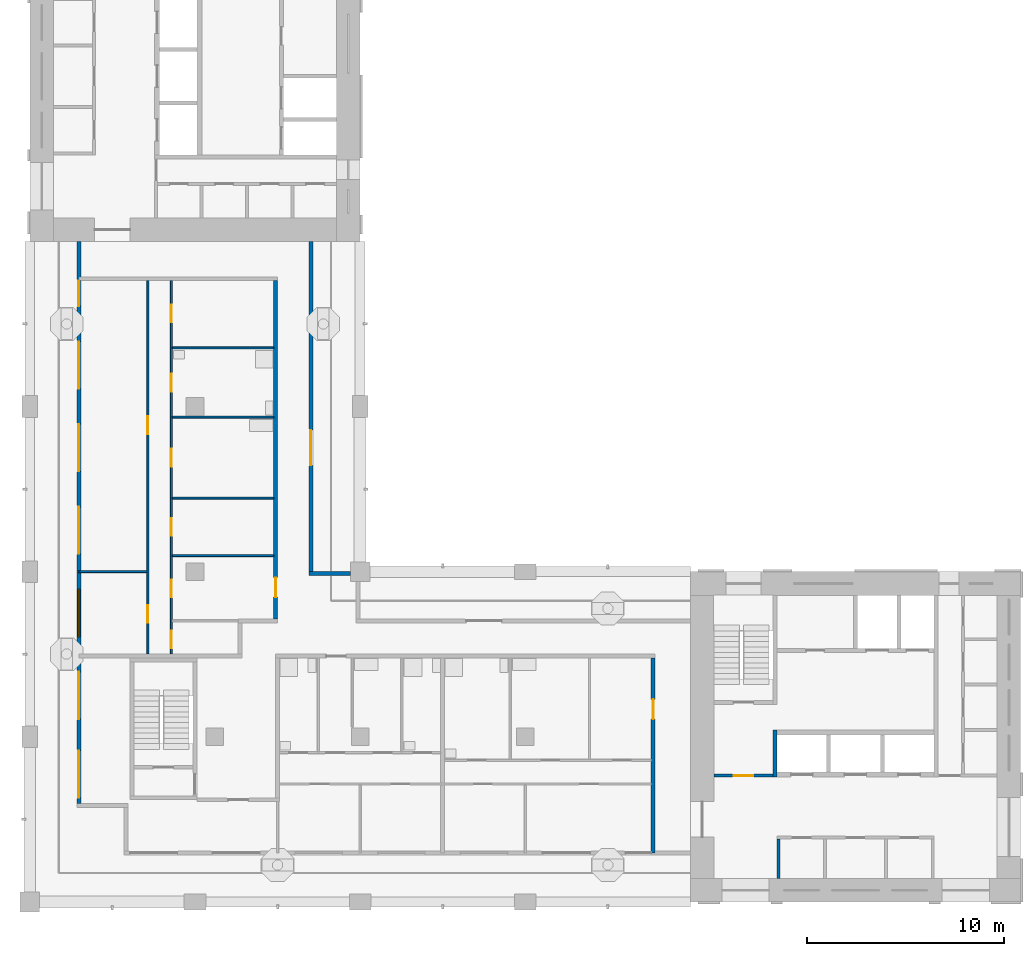
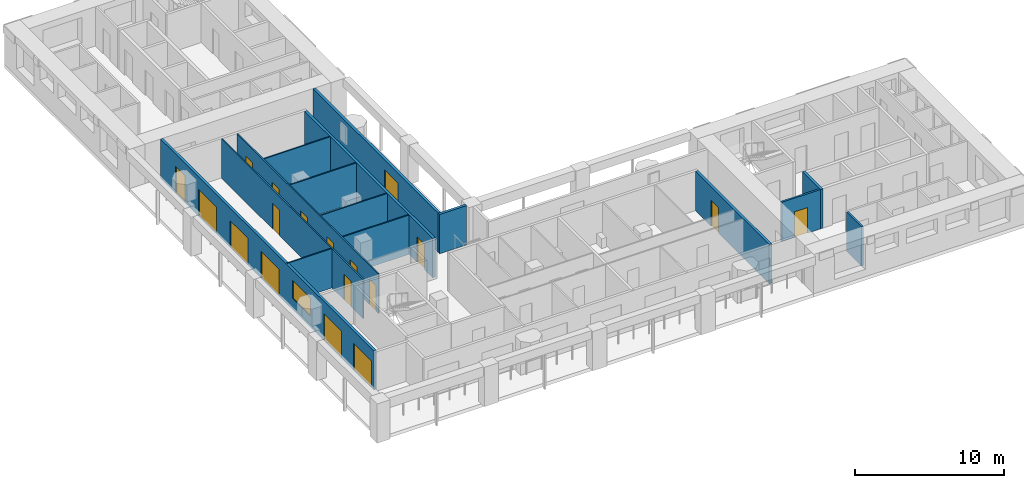
# One storey, part 3 of 12: 18 doors, 15 walls, 1 window, 19 openings.
"""IFC4 building model written with IfcOpenShell, lengths in metres."""

import ifcopenshell
import ifcopenshell.guid

model = None  # the IFC model being written
_history = None  # IfcOwnerHistory: only IFC2X3 demands one
_inside = {}  # id of a spatial element -> (the spatial element, [elements in it])
_under = {}  # id of a project, library or spatial element -> (it, [spatial elements below it])
_declared = {}  # id of a project -> (the project, [libraries it declares])
_typed = {}  # id of a type object -> (the type object, [elements of that type])
_made_of = {}  # id of a material, layer set ... -> (it, [elements and type objects made of it])


def new_model(schema):
    """Start an empty IFC model of exactly this schema.

    Asked for "IFC4X3", IfcOpenShell would pick the latest addendum, in which some entities
    have other attributes; the version numbers below select the first issue.
    IFC2X3 requires an IfcOwnerHistory on every rooted entity: one is made here for all.
    """
    global model, _history
    if schema == "IFC4X3":
        model = ifcopenshell.file(schema_version=(4, 3, 0, 0))
    else:
        model = ifcopenshell.file(schema=schema)
    _inside.clear()
    _under.clear()
    _declared.clear()
    _typed.clear()
    _made_of.clear()
    _history = None
    if model.schema == "IFC2X3":
        org = make("IfcOrganization", Name="unknown")
        user = make(
            "IfcPersonAndOrganization",
            ThePerson=make("IfcPerson", FamilyName="unknown"),
            TheOrganization=org,
        )
        app = make(
            "IfcApplication",
            ApplicationDeveloper=org,
            Version="unknown",
            ApplicationFullName="unknown",
            ApplicationIdentifier="unknown",
        )
        _history = make(
            "IfcOwnerHistory",
            OwningUser=user,
            OwningApplication=app,
            ChangeAction="ADDED",
            CreationDate=0,
        )
    return model


def make(cls, **values):
    """One entity of the class cls with the attributes given. An attribute that is None is left unset."""
    return model.create_entity(
        cls, **{name: value for name, value in values.items() if value is not None}
    )


def rooted(cls, **values):
    """An entity with a GlobalId (a new one), such as an element, a storey or a relation."""
    return make(cls, GlobalId=ifcopenshell.guid.new(), OwnerHistory=_history, **values)


def si_unit(unit_type, name, prefix=None):
    """IfcSIUnit, for example si_unit("LENGTHUNIT", "METRE", prefix="MILLI")."""
    return make("IfcSIUnit", UnitType=unit_type, Prefix=prefix, Name=name)


def assignment(units):
    """IfcUnitAssignment: the units of a project."""
    return None if units is None else make("IfcUnitAssignment", Units=units)


def point(xyz):
    """IfcCartesianPoint."""
    return None if xyz is None else make("IfcCartesianPoint", Coordinates=xyz)


def direction(xyz):
    """IfcDirection."""
    return None if xyz is None else make("IfcDirection", DirectionRatios=xyz)


def frame(location, z_axis=None, x_axis=None):
    """IfcAxis2Placement3D, a coordinate frame: its origin and axes. An axis left out is left unset."""
    return make(
        "IfcAxis2Placement3D",
        Location=point(location),
        Axis=direction(z_axis),
        RefDirection=direction(x_axis),
    )


def frame_2d(location, x_axis=None):
    """IfcAxis2Placement2D, a coordinate frame in the plane: its origin and x axis."""
    return make(
        "IfcAxis2Placement2D", Location=point(location), RefDirection=direction(x_axis)
    )


def origin():
    """The frame at (0, 0, 0) with its axes left unset."""
    return frame((0.0, 0.0, 0.0))


def place(relative_to, where):
    """IfcLocalPlacement: puts the frame where relative to a parent placement (None: the world)."""
    return make(
        "IfcLocalPlacement", PlacementRelTo=relative_to, RelativePlacement=where
    )


def context(
    kind, dimensions, precision=None, world=None, true_north=None, identifier=None
):
    """IfcGeometricRepresentationContext, for example the 3D "Model" context."""
    return make(
        "IfcGeometricRepresentationContext",
        ContextIdentifier=identifier,
        ContextType=kind,
        CoordinateSpaceDimension=dimensions,
        Precision=precision,
        WorldCoordinateSystem=world,
        TrueNorth=true_north,
    )


def subcontext(parent, identifier, kind, view, scale=None):
    """IfcGeometricRepresentationSubContext, for example "Body" below "Model"."""
    return make(
        "IfcGeometricRepresentationSubContext",
        ContextIdentifier=identifier,
        ContextType=kind,
        ParentContext=parent,
        TargetScale=scale,
        TargetView=view,
    )


def project(units=None, contexts=None):
    """IfcProject with its units and contexts."""
    return rooted(
        "IfcProject",
        Name="project",
        RepresentationContexts=contexts,
        UnitsInContext=assignment(units),
    )


def spatial(cls, under=None, at=None, **own):
    """A site, building, storey or space (cls), placed at a placement, below another one or the project."""
    s = rooted(cls, ObjectPlacement=at, **own)
    if under is not None:
        _under.setdefault(under.id(), (under, []))[1].append(s)
    return s


def profile(cls, at=None, kind="AREA", **sizes):
    """A parametric profile (cls). Its sizes go by their IFC names, for example OverallWidth=200.0."""
    return make(cls, ProfileType=kind, Position=at, **sizes)


def rectangle(**sizes):
    """IfcRectangleProfileDef."""
    return profile("IfcRectangleProfileDef", **sizes)


def extrude(swept, where, along, depth):
    """IfcExtrudedAreaSolid: the profile swept, set in the frame where, extruded along a direction by depth."""
    return make(
        "IfcExtrudedAreaSolid",
        SweptArea=swept,
        Position=where,
        ExtrudedDirection=direction(along),
        Depth=depth,
    )


def shape(context_of_items, identifier, shape_type, items):
    """IfcShapeRepresentation: the items that make up one representation, for example the "Body"."""
    return make(
        "IfcShapeRepresentation",
        ContextOfItems=context_of_items,
        RepresentationIdentifier=identifier,
        RepresentationType=shape_type,
        Items=items,
    )


def material(Name=None, Category=None):
    """IfcMaterial."""
    return make("IfcMaterial", Name=Name, Category=Category)


def layer(
    of_material, thickness, ventilated=None, Name=None, Category=None, Priority=None
):
    """IfcMaterialLayer: one layer of a wall or slab, of a material (None: an air gap)."""
    return make(
        "IfcMaterialLayer",
        Material=of_material,
        LayerThickness=thickness,
        IsVentilated=ventilated,
        Name=Name,
        Category=Category,
        Priority=Priority,
    )


def layer_set(layers, Name=None):
    """IfcMaterialLayerSet."""
    return make("IfcMaterialLayerSet", MaterialLayers=layers, LayerSetName=Name)


def made_of(thing, what):
    """Note that an element or type object is made of a material, layer set ...; save() writes the relation."""
    if what is not None:
        _made_of.setdefault(what.id(), (what, []))[1].append(thing)
    return thing


def type_object(cls, material=None, **own):
    """A type object (cls), such as IfcWallType, which elements share."""
    return made_of(rooted(cls, **own), material)


def element(
    cls,
    number,
    at=None,
    inside=None,
    cuts=None,
    type_object=None,
    material=None,
    context=None,
    identifier="Body",
    shape_type=None,
    held_by="IfcProductDefinitionShape",
    body=None,
    shapes=None,
    **own,
):
    """One element of the class cls, such as IfcWall. Its Tag is "e" and its number.

    at: its placement. inside: the storey or other place that contains it. cuts: it is an
    opening in that element (IfcRelVoidsElement). A single representation is given by context,
    identifier, shape_type and body (its items); several are given by shapes. held_by: the class
    of the entity that holds the representations. save() writes the other relations.
    """
    e = rooted(cls, Tag="e%d" % number, ObjectPlacement=at, **own)
    if body is not None:
        shapes = [shape(context, identifier, shape_type, body)]
    if shapes is not None:
        e.Representation = make(held_by, Representations=shapes)
    if inside is not None:
        _inside.setdefault(inside.id(), (inside, []))[1].append(e)
    if cuts is not None:
        rooted(
            "IfcRelVoidsElement", RelatingBuildingElement=cuts, RelatedOpeningElement=e
        )
    if type_object is not None:
        _typed.setdefault(type_object.id(), (type_object, []))[1].append(e)
    return made_of(e, material)


def fill(opening, filler):
    """IfcRelFillsElement: the door or window that sits in an opening."""
    return rooted(
        "IfcRelFillsElement",
        RelatingOpeningElement=opening,
        RelatedBuildingElement=filler,
    )


def aggregate(whole, parts):
    """IfcRelAggregates: a whole, such as a stair, and the parts it consists of."""
    return rooted("IfcRelAggregates", RelatingObject=whole, RelatedObjects=parts)


def save(model, path):
    """Write the relations noted so far, then the file.

    IfcRelAggregates (storeys below a building ...), IfcRelContainedInSpatialStructure (elements
    in a storey), IfcRelDefinesByType, IfcRelAssociatesMaterial and IfcRelDeclares: one each for
    every whole, place, type object, material and project.
    """
    for whole, parts in _under.values():
        aggregate(whole, parts)
    for where, things in _inside.values():
        rooted(
            "IfcRelContainedInSpatialStructure",
            RelatedElements=things,
            RelatingStructure=where,
        )
    for kind, things in _typed.values():
        rooted("IfcRelDefinesByType", RelatedObjects=things, RelatingType=kind)
    for what, things in _made_of.values():
        rooted("IfcRelAssociatesMaterial", RelatedObjects=things, RelatingMaterial=what)
    for by, libraries in _declared.values():
        rooted("IfcRelDeclares", RelatingContext=by, RelatedDefinitions=libraries)
    model.write(path)


model = new_model("IFC4")

# Units and contexts
model_context = context("Model", 3, precision=1e-05, world=origin(), true_north=direction((0.0, 1.0)))
body_context = subcontext(model_context, "Body", "Model", "MODEL_VIEW")
ifc_project = project(units=[si_unit("LENGTHUNIT", "METRE"), si_unit("AREAUNIT", "SQUARE_METRE"), si_unit("VOLUMEUNIT", "CUBIC_METRE"), si_unit("PLANEANGLEUNIT", "RADIAN"), si_unit("MASSUNIT", "GRAM", prefix="KILO")], contexts=[model_context])

# Site, building, storey
site_placement = place(None, origin())
site = spatial("IfcSite", under=ifc_project, at=site_placement, CompositionType="ELEMENT")
building_placement = place(site_placement, origin())
building = spatial("IfcBuilding", under=site, at=building_placement, Name="Vermilion Gate Residences", CompositionType="ELEMENT")
storey_placement = place(building_placement, frame((0.0, 0.0, 242.199951171875)))
storey = spatial("IfcBuildingStorey", under=building, at=storey_placement, Name="L63", CompositionType="ELEMENT", Elevation=242.199951171875)

# Wall
ifc_material_1 = material(Name="Masonry blockwork", Category="masonry")
ifc_layer_1 = layer(ifc_material_1, 0.14990234375)
ifc_layer_set_1 = layer_set([ifc_layer_1], Name="BLOCKWORK PARTITION 150 EI 120")
wall_type_1 = type_object("IfcWallType", Name="BLOCKWORK PARTITION 150 EI 120", PredefinedType="PARTITIONING", material=ifc_layer_set_1)
wall_1_placement = place(storey_placement, frame((46.47509765625, 9.60009765625, 0.0), z_axis=(0.0, 0.0, 1.0), x_axis=(0.0, 1.0, 0.0)))
element("IfcWall", 1, at=wall_1_placement, inside=storey, type_object=wall_type_1, Name="Core room partition A63-RW-W", PredefinedType="PARTITIONING", context=body_context, shape_type="SweptSolid", body=[
    extrude(rectangle(XDim=2.0, YDim=0.14990234375, at=frame_2d((1.0, 0.0))), origin(), (0.0, 0.0, 1.0), 3.219970703125),
])

# Wall, opening, door
wall_2_placement = place(storey_placement, frame((43.199951171875, 14.824951171875, 0.0), z_axis=(0.0, 0.0, 1.0), x_axis=(1.0, 0.0, 0.0)))
wall_2 = element("IfcWall", 2, at=wall_2_placement, inside=storey, type_object=wall_type_1, Name="Core room partition A63-VW-S", PredefinedType="PARTITIONING", context=body_context, shape_type="SweptSolid", body=[
    extrude(rectangle(XDim=3.0, YDim=0.14990234375, at=frame_2d((1.5, 0.0))), origin(), (0.0, 0.0, 1.0), 3.219970703125),
])
opening_1_placement = place(wall_2_placement, frame((1.0, 0.0, 0.0)))
opening_1 = element("IfcOpeningElement", 3, at=opening_1_placement, cuts=wall_2, Name="Opening DK63011", PredefinedType="OPENING", context=body_context, shape_type="SweptSolid", body=[
    extrude(rectangle(XDim=1.0, YDim=2.10009765625, at=frame_2d((0.5, 1.050048828125))), frame((0.0, 0.0849609375, 0.0), z_axis=(0.0, -1.0, 0.0), x_axis=(1.0, 0.0, 0.0)), (0.0, 0.0, 1.0), 0.169921875),
])
ifc_material_2 = material(Name="Steel", Category="steel")
door_type_1 = type_object("IfcDoorType", Name="FIRE DOOR FD60 1000 X 2100", OperationType="SINGLE_SWING_LEFT", PredefinedType="DOOR", material=ifc_material_2)
door_1_placement = place(opening_1_placement, frame((1.0, 0.0, 0.0), z_axis=(0.0, 0.0, 1.0), x_axis=(-1.0, 0.0, 0.0)))
door_1 = element("IfcDoor", 4, at=door_1_placement, inside=storey, type_object=door_type_1, Name="Stair vestibule door A63", OperationType="SINGLE_SWING_RIGHT", OverallHeight=2.10009765625, OverallWidth=1.0, PredefinedType="DOOR", context=body_context, shape_type="SweptSolid", body=[
    extrude(rectangle(XDim=1.0, YDim=2.10009765625, at=frame_2d((0.5, 1.050048828125))), frame((0.0, 0.02490234375, 0.0), z_axis=(0.0, -1.0, 0.0), x_axis=(1.0, 0.0, 0.0)), (0.0, 0.0, 1.0), 0.050048828125),
])
fill(opening_1, door_1)

# Wall, openings, doors, window
ifc_material_3 = material(Name="Insulated steel stud wall with terracotta rainscreen", Category="masonry")
ifc_layer_2 = layer(ifc_material_3, 0.199951171875)
ifc_layer_set_2 = layer_set([ifc_layer_2], Name="EXTERNAL WALL 200 TERRACOTTA RAINSCREEN")
wall_type_2 = type_object("IfcWallType", Name="EXTERNAL WALL 200 TERRACOTTA RAINSCREEN", PredefinedType="SOLIDWALL", material=ifc_layer_set_2)
wall_3_placement = place(storey_placement, frame((10.89990234375, 42.0, 0.0), z_axis=(0.0, 0.0, 1.0), x_axis=(0.0, -1.0, 0.0)))
wall_3 = element("IfcWall", 5, at=wall_3_placement, inside=storey, type_object=wall_type_2, Name="External wall", PredefinedType="SOLIDWALL", context=body_context, shape_type="SweptSolid", body=[
    extrude(rectangle(XDim=28.60009765625, YDim=0.199951171875, at=frame_2d((14.300048828125, 0.0))), origin(), (0.0, 0.0, 1.0), 3.219970703125),
])
opening_2_placement = place(wall_3_placement, frame((25.89990234375, 0.0, 0.0)))
opening_2 = element("IfcOpeningElement", 6, at=opening_2_placement, cuts=wall_3, Name="Opening DE63001", PredefinedType="OPENING", context=body_context, shape_type="SweptSolid", body=[
    extrude(rectangle(XDim=2.39990234375, YDim=2.199951171875, at=frame_2d((1.199951171875, 1.10009765625))), frame((0.0, 0.10986328125, 0.0), z_axis=(0.0, -1.0, 0.0), x_axis=(1.0, 0.0, 0.0)), (0.0, 0.0, 1.0), 0.219970703125),
])
opening_3_placement = place(wall_3_placement, frame((21.89990234375, 0.0, 0.0)))
opening_3 = element("IfcOpeningElement", 7, at=opening_3_placement, cuts=wall_3, Name="Opening DE63002", PredefinedType="OPENING", context=body_context, shape_type="SweptSolid", body=[
    extrude(rectangle(XDim=2.39990234375, YDim=2.199951171875, at=frame_2d((1.199951171875, 1.10009765625))), frame((0.0, 0.10986328125, 0.0), z_axis=(0.0, -1.0, 0.0), x_axis=(1.0, 0.0, 0.0)), (0.0, 0.0, 1.0), 0.219970703125),
])
opening_4_placement = place(wall_3_placement, frame((17.699951171875, 0.0, 0.89990234375)))
opening_4 = element("IfcOpeningElement", 8, at=opening_4_placement, cuts=wall_3, Name="Opening WE63003", PredefinedType="OPENING", context=body_context, shape_type="SweptSolid", body=[
    extrude(rectangle(XDim=2.39990234375, YDim=1.5, at=frame_2d((1.199951171875, 0.75))), frame((0.0, 0.10986328125, 0.0), z_axis=(0.0, -1.0, 0.0), x_axis=(1.0, 0.0, 0.0)), (0.0, 0.0, 1.0), 0.219970703125),
])
opening_5_placement = place(wall_3_placement, frame((13.5, 0.0, 0.0)))
opening_5 = element("IfcOpeningElement", 9, at=opening_5_placement, cuts=wall_3, Name="Opening DE63004", PredefinedType="OPENING", context=body_context, shape_type="SweptSolid", body=[
    extrude(rectangle(XDim=2.39990234375, YDim=2.199951171875, at=frame_2d((1.199951171875, 1.10009765625))), frame((0.0, 0.10986328125, 0.0), z_axis=(0.0, -1.0, 0.0), x_axis=(1.0, 0.0, 0.0)), (0.0, 0.0, 1.0), 0.219970703125),
])
opening_6_placement = place(wall_3_placement, frame((9.300048828125, 0.0, 0.0)))
opening_6 = element("IfcOpeningElement", 10, at=opening_6_placement, cuts=wall_3, Name="Opening DE63005", PredefinedType="OPENING", context=body_context, shape_type="SweptSolid", body=[
    extrude(rectangle(XDim=2.39990234375, YDim=2.199951171875, at=frame_2d((1.199951171875, 1.10009765625))), frame((0.0, 0.10986328125, 0.0), z_axis=(0.0, -1.0, 0.0), x_axis=(1.0, 0.0, 0.0)), (0.0, 0.0, 1.0), 0.219970703125),
])
opening_7_placement = place(wall_3_placement, frame((5.10009765625, 0.0, 0.0)))
opening_7 = element("IfcOpeningElement", 11, at=opening_7_placement, cuts=wall_3, Name="Opening DE63006", PredefinedType="OPENING", context=body_context, shape_type="SweptSolid", body=[
    extrude(rectangle(XDim=2.39990234375, YDim=2.199951171875, at=frame_2d((1.199951171875, 1.10009765625))), frame((0.0, 0.10986328125, 0.0), z_axis=(0.0, -1.0, 0.0), x_axis=(1.0, 0.0, 0.0)), (0.0, 0.0, 1.0), 0.219970703125),
])
opening_8_placement = place(wall_3_placement, frame((2.0, 0.0, 0.0)))
opening_8 = element("IfcOpeningElement", 12, at=opening_8_placement, cuts=wall_3, Name="Opening DE63007", PredefinedType="OPENING", context=body_context, shape_type="SweptSolid", body=[
    extrude(rectangle(XDim=1.300048828125, YDim=2.199951171875, at=frame_2d((0.64990234375, 1.10009765625))), frame((0.0, 0.10986328125, 0.0), z_axis=(0.0, -1.0, 0.0), x_axis=(1.0, 0.0, 0.0)), (0.0, 0.0, 1.0), 0.219970703125),
])
ifc_material_4 = material(Name="Aluminium and clear glass", Category="aluminium")
door_type_2 = type_object("IfcDoorType", Name="SLIDING GLAZED DOOR 1300 X 2200", OperationType="DOUBLE_DOOR_SLIDING", PredefinedType="DOOR", material=ifc_material_4)
door_2_placement = place(opening_8_placement, origin())
door_2 = element("IfcDoor", 13, at=door_2_placement, inside=storey, type_object=door_type_2, Name="Loggia sliding door", OperationType="DOUBLE_DOOR_SLIDING", OverallHeight=2.199951171875, OverallWidth=1.300048828125, PredefinedType="DOOR", context=body_context, shape_type="SweptSolid", body=[
    extrude(rectangle(XDim=1.300048828125, YDim=2.199951171875, at=frame_2d((0.64990234375, 1.10009765625))), frame((0.0, 0.02490234375, 0.0), z_axis=(0.0, -1.0, 0.0), x_axis=(1.0, 0.0, 0.0)), (0.0, 0.0, 1.0), 0.050048828125),
])
fill(opening_8, door_2)
ifc_material_5 = material(Name="Aluminium and clear glass", Category="aluminium")
door_type_3 = type_object("IfcDoorType", Name="SLIDING GLAZED DOOR 2400 X 2200", OperationType="DOUBLE_DOOR_SLIDING", PredefinedType="DOOR", material=ifc_material_5)
door_3_placement = place(opening_2_placement, origin())
door_3 = element("IfcDoor", 14, at=door_3_placement, inside=storey, type_object=door_type_3, Name="Loggia sliding door", OperationType="DOUBLE_DOOR_SLIDING", OverallHeight=2.199951171875, OverallWidth=2.39990234375, PredefinedType="DOOR", context=body_context, shape_type="SweptSolid", body=[
    extrude(rectangle(XDim=2.39990234375, YDim=2.199951171875, at=frame_2d((1.199951171875, 1.10009765625))), frame((0.0, 0.02490234375, 0.0), z_axis=(0.0, -1.0, 0.0), x_axis=(1.0, 0.0, 0.0)), (0.0, 0.0, 1.0), 0.050048828125),
])
fill(opening_2, door_3)
door_4_placement = place(opening_3_placement, origin())
door_4 = element("IfcDoor", 15, at=door_4_placement, inside=storey, type_object=door_type_3, Name="Loggia sliding door", OperationType="DOUBLE_DOOR_SLIDING", OverallHeight=2.199951171875, OverallWidth=2.39990234375, PredefinedType="DOOR", context=body_context, shape_type="SweptSolid", body=[
    extrude(rectangle(XDim=2.39990234375, YDim=2.199951171875, at=frame_2d((1.199951171875, 1.10009765625))), frame((0.0, 0.02490234375, 0.0), z_axis=(0.0, -1.0, 0.0), x_axis=(1.0, 0.0, 0.0)), (0.0, 0.0, 1.0), 0.050048828125),
])
fill(opening_3, door_4)
door_5_placement = place(opening_5_placement, origin())
door_5 = element("IfcDoor", 16, at=door_5_placement, inside=storey, type_object=door_type_3, Name="Loggia sliding door", OperationType="DOUBLE_DOOR_SLIDING", OverallHeight=2.199951171875, OverallWidth=2.39990234375, PredefinedType="DOOR", context=body_context, shape_type="SweptSolid", body=[
    extrude(rectangle(XDim=2.39990234375, YDim=2.199951171875, at=frame_2d((1.199951171875, 1.10009765625))), frame((0.0, 0.02490234375, 0.0), z_axis=(0.0, -1.0, 0.0), x_axis=(1.0, 0.0, 0.0)), (0.0, 0.0, 1.0), 0.050048828125),
])
fill(opening_5, door_5)
door_6_placement = place(opening_6_placement, origin())
door_6 = element("IfcDoor", 17, at=door_6_placement, inside=storey, type_object=door_type_3, Name="Loggia sliding door", OperationType="DOUBLE_DOOR_SLIDING", OverallHeight=2.199951171875, OverallWidth=2.39990234375, PredefinedType="DOOR", context=body_context, shape_type="SweptSolid", body=[
    extrude(rectangle(XDim=2.39990234375, YDim=2.199951171875, at=frame_2d((1.199951171875, 1.10009765625))), frame((0.0, 0.02490234375, 0.0), z_axis=(0.0, -1.0, 0.0), x_axis=(1.0, 0.0, 0.0)), (0.0, 0.0, 1.0), 0.050048828125),
])
fill(opening_6, door_6)
door_7_placement = place(opening_7_placement, origin())
door_7 = element("IfcDoor", 18, at=door_7_placement, inside=storey, type_object=door_type_3, Name="Loggia sliding door", OperationType="DOUBLE_DOOR_SLIDING", OverallHeight=2.199951171875, OverallWidth=2.39990234375, PredefinedType="DOOR", context=body_context, shape_type="SweptSolid", body=[
    extrude(rectangle(XDim=2.39990234375, YDim=2.199951171875, at=frame_2d((1.199951171875, 1.10009765625))), frame((0.0, 0.02490234375, 0.0), z_axis=(0.0, -1.0, 0.0), x_axis=(1.0, 0.0, 0.0)), (0.0, 0.0, 1.0), 0.050048828125),
])
fill(opening_7, door_7)
ifc_material_6 = material(Name="Aluminium and clear glass", Category="aluminium")
window_type = type_object("IfcWindowType", Name="WINDOW 2400 X 1500", PartitioningType="SINGLE_PANEL", PredefinedType="WINDOW", material=ifc_material_6)
window_placement = place(opening_4_placement, origin())
window = element("IfcWindow", 19, at=window_placement, inside=storey, type_object=window_type, Name="Window", OverallHeight=1.5, OverallWidth=2.39990234375, PartitioningType="SINGLE_PANEL", PredefinedType="WINDOW", context=body_context, shape_type="SweptSolid", body=[
    extrude(rectangle(XDim=2.39990234375, YDim=1.5, at=frame_2d((1.199951171875, 0.75))), frame((0.0, 0.030029296875, 0.0), z_axis=(0.0, -1.0, 0.0), x_axis=(1.0, 0.0, 0.0)), (0.0, 0.0, 1.0), 0.06005859375),
])
fill(opening_4, window)

# Wall
wall_4_placement = place(storey_placement, frame((24.699951171875, 25.10009765625, 0.0), z_axis=(0.0, 0.0, 1.0), x_axis=(-1.0, 0.0, 0.0)))
element("IfcWall", 20, at=wall_4_placement, inside=storey, type_object=wall_type_2, Name="External wall", PredefinedType="SOLIDWALL", context=body_context, shape_type="SweptSolid", body=[
    extrude(rectangle(XDim=2.099853515625, YDim=0.199951171875, at=frame_2d((1.0498046875, 0.0))), origin(), (0.0, 0.0, 1.0), 3.219970703125),
])

# Wall, opening, door
wall_5_placement = place(storey_placement, frame((22.699951171875, 25.199951171875, 0.0), z_axis=(0.0, 0.0, 1.0), x_axis=(0.0, 1.0, 0.0)))
wall_5 = element("IfcWall", 21, at=wall_5_placement, inside=storey, type_object=wall_type_2, Name="External wall", PredefinedType="SOLIDWALL", context=body_context, shape_type="SweptSolid", body=[
    extrude(rectangle(XDim=16.800048828125, YDim=0.199951171875, at=frame_2d((8.39990234375, 0.0))), origin(), (0.0, 0.0, 1.0), 3.219970703125),
])
opening_9_placement = place(wall_5_placement, frame((5.39990234375, 0.0, 0.0)))
opening_9 = element("IfcOpeningElement", 22, at=opening_9_placement, cuts=wall_5, Name="Opening DE63016", PredefinedType="OPENING", context=body_context, shape_type="SweptSolid", body=[
    extrude(rectangle(XDim=1.800048828125, YDim=2.39990234375, at=frame_2d((0.89990234375, 1.199951171875))), frame((0.0, 0.10986328125, 0.0), z_axis=(0.0, -1.0, 0.0), x_axis=(1.0, 0.0, 0.0)), (0.0, 0.0, 1.0), 0.219970703125),
])
ifc_material_7 = material(Name="Aluminium and clear glass", Category="aluminium")
door_type_4 = type_object("IfcDoorType", Name="GLAZED EXTERNAL DOOR 1800 X 2400", OperationType="DOUBLE_DOOR_SINGLE_SWING", PredefinedType="DOOR", material=ifc_material_7)
door_8_placement = place(opening_9_placement, frame((1.800048828125, 0.0, 0.0), z_axis=(0.0, 0.0, 1.0), x_axis=(-1.0, 0.0, 0.0)))
door_8 = element("IfcDoor", 23, at=door_8_placement, inside=storey, type_object=door_type_4, Name="Gallery door", OperationType="DOUBLE_DOOR_SINGLE_SWING", OverallHeight=2.39990234375, OverallWidth=1.800048828125, PredefinedType="DOOR", context=body_context, shape_type="SweptSolid", body=[
    extrude(rectangle(XDim=1.800048828125, YDim=2.39990234375, at=frame_2d((0.89990234375, 1.199951171875))), frame((0.0, 0.02490234375, 0.0), z_axis=(0.0, -1.0, 0.0), x_axis=(1.0, 0.0, 0.0)), (0.0, 0.0, 1.0), 0.050048828125),
])
fill(opening_9, door_8)

# Walls
ifc_material_8 = material(Name="Plasterboard on steel studs", Category="steel")
ifc_layer_3 = layer(ifc_material_8, 0.10009765625)
ifc_layer_set_3 = layer_set([ifc_layer_3], Name="PARTITION 100")
wall_type_3 = type_object("IfcWallType", Name="PARTITION 100", PredefinedType="PARTITIONING", material=ifc_layer_set_3)
wall_6_placement = place(storey_placement, frame((10.89990234375, 25.199951171875, 0.0), z_axis=(0.0, 0.0, 1.0), x_axis=(1.0, 0.0, 0.0)))
element("IfcWall", 24, at=wall_6_placement, inside=storey, type_object=wall_type_3, Name="Partition", PredefinedType="PARTITIONING", context=body_context, shape_type="SweptSolid", body=[
    extrude(rectangle(XDim=3.4501953125, YDim=0.10009765625, at=frame_2d((1.72509765625, 0.0))), origin(), (0.0, 0.0, 1.0), 3.219970703125),
])
for number, where, z_axis, x_axis, name in (
    (25, (15.64990234375, 26.02001953125, 0.0), (0.0, 0.0, 1.0), (1.0, 0.0, 0.0), "Partition"),
    (26, (15.64990234375, 28.93994140625, 0.0), (0.0, 0.0, 1.0), (1.0, 0.0, 0.0), "Partition"),
    (27, (15.64990234375, 33.06005859375, 0.0), (0.0, 0.0, 1.0), (1.0, 0.0, 0.0), "Partition"),
    (28, (15.64990234375, 36.580078125, 0.0), (0.0, 0.0, 1.0), (1.0, 0.0, 0.0), "Partition"),
):
    element("IfcWall", number, at=place(storey_placement, frame(where, z_axis=z_axis, x_axis=x_axis)), inside=storey, type_object=wall_type_3, Name=name, PredefinedType="PARTITIONING", context=body_context, shape_type="SweptSolid", body=[
        extrude(rectangle(XDim=5.150146484375, YDim=0.10009765625, at=frame_2d((2.5751953125, 0.0))), origin(), (0.0, 0.0, 1.0), 3.219970703125),
    ])

# Wall, openings, doors
wall_7_placement = place(storey_placement, frame((14.39990234375, 21.0, 0.0), z_axis=(0.0, 0.0, 1.0), x_axis=(0.0, 1.0, 0.0)))
wall_7 = element("IfcWall", 29, at=wall_7_placement, inside=storey, type_object=wall_type_3, Name="Partition", PredefinedType="PARTITIONING", context=body_context, shape_type="SweptSolid", body=[
    extrude(rectangle(XDim=19.0, YDim=0.10009765625, at=frame_2d((9.5, 0.0))), origin(), (0.0, 0.0, 1.0), 3.219970703125),
])
opening_10_placement = place(wall_7_placement, frame((1.60009765625, 0.0, 0.0)))
opening_10 = element("IfcOpeningElement", 30, at=opening_10_placement, cuts=wall_7, Name="Opening DA61014", PredefinedType="OPENING", context=body_context, shape_type="SweptSolid", body=[
    extrude(rectangle(XDim=0.89990234375, YDim=2.10009765625, at=frame_2d((0.449951171875, 1.050048828125))), frame((0.0, 0.06005859375, 0.0), z_axis=(0.0, -1.0, 0.0), x_axis=(1.0, 0.0, 0.0)), (0.0, 0.0, 1.0), 0.1201171875),
])
opening_11_placement = place(wall_7_placement, frame((11.199951171875, 0.0, 0.0)))
opening_11 = element("IfcOpeningElement", 31, at=opening_11_placement, cuts=wall_7, Name="Opening DA61015", PredefinedType="OPENING", context=body_context, shape_type="SweptSolid", body=[
    extrude(rectangle(XDim=0.89990234375, YDim=2.10009765625, at=frame_2d((0.449951171875, 1.050048828125))), frame((0.0, 0.06005859375, 0.0), z_axis=(0.0, -1.0, 0.0), x_axis=(1.0, 0.0, 0.0)), (0.0, 0.0, 1.0), 0.1201171875),
])
ifc_material_9 = material(Name="Timber", Category="wood")
door_type_5 = type_object("IfcDoorType", Name="INTERIOR DOOR 900 X 2100", OperationType="SINGLE_SWING_LEFT", PredefinedType="DOOR", material=ifc_material_9)
door_9_placement = place(opening_10_placement, origin())
door_9 = element("IfcDoor", 32, at=door_9_placement, inside=storey, type_object=door_type_5, Name="Interior door", OperationType="SINGLE_SWING_LEFT", OverallHeight=2.10009765625, OverallWidth=0.89990234375, PredefinedType="DOOR", context=body_context, shape_type="SweptSolid", body=[
    extrude(rectangle(XDim=0.89990234375, YDim=2.10009765625, at=frame_2d((0.449951171875, 1.050048828125))), frame((0.0, 0.02490234375, 0.0), z_axis=(0.0, -1.0, 0.0), x_axis=(1.0, 0.0, 0.0)), (0.0, 0.0, 1.0), 0.050048828125),
])
fill(opening_10, door_9)
door_10_placement = place(opening_11_placement, origin())
door_10 = element("IfcDoor", 33, at=door_10_placement, inside=storey, type_object=door_type_5, Name="Interior door", OperationType="SINGLE_SWING_LEFT", OverallHeight=2.10009765625, OverallWidth=0.89990234375, PredefinedType="DOOR", context=body_context, shape_type="SweptSolid", body=[
    extrude(rectangle(XDim=0.89990234375, YDim=2.10009765625, at=frame_2d((0.449951171875, 1.050048828125))), frame((0.0, 0.02490234375, 0.0), z_axis=(0.0, -1.0, 0.0), x_axis=(1.0, 0.0, 0.0)), (0.0, 0.0, 1.0), 0.050048828125),
])
fill(opening_11, door_10)

wall_8_placement = place(storey_placement, frame((15.60009765625, 21.0, 0.0), z_axis=(0.0, 0.0, 1.0), x_axis=(0.0, 1.0, 0.0)))
wall_8 = element("IfcWall", 34, at=wall_8_placement, inside=storey, type_object=wall_type_3, Name="Partition", PredefinedType="PARTITIONING", context=body_context, shape_type="SweptSolid", body=[
    extrude(rectangle(XDim=19.0, YDim=0.10009765625, at=frame_2d((9.5, 0.0))), origin(), (0.0, 0.0, 1.0), 3.219970703125),
])
opening_12_placement = place(wall_8_placement, frame((2.89990234375, 0.0, 0.0)))
opening_12 = element("IfcOpeningElement", 35, at=opening_12_placement, cuts=wall_8, Name="Opening DA61016", PredefinedType="OPENING", context=body_context, shape_type="SweptSolid", body=[
    extrude(rectangle(XDim=0.89990234375, YDim=2.10009765625, at=frame_2d((0.449951171875, 1.050048828125))), frame((0.0, 0.06005859375, 0.0), z_axis=(0.0, -1.0, 0.0), x_axis=(1.0, 0.0, 0.0)), (0.0, 0.0, 1.0), 0.1201171875),
])
opening_13_placement = place(wall_8_placement, frame((0.300048828125, 0.0, 0.0)))
opening_13 = element("IfcOpeningElement", 36, at=opening_13_placement, cuts=wall_8, Name="Opening DA61017", PredefinedType="OPENING", context=body_context, shape_type="SweptSolid", body=[
    extrude(rectangle(XDim=0.89990234375, YDim=2.10009765625, at=frame_2d((0.449951171875, 1.050048828125))), frame((0.0, 0.06005859375, 0.0), z_axis=(0.0, -1.0, 0.0), x_axis=(1.0, 0.0, 0.0)), (0.0, 0.0, 1.0), 0.1201171875),
])
opening_14_placement = place(wall_8_placement, frame((6.02001953125, 0.0, 0.0)))
opening_14 = element("IfcOpeningElement", 37, at=opening_14_placement, cuts=wall_8, Name="Opening DA61018", PredefinedType="OPENING", context=body_context, shape_type="SweptSolid", body=[
    extrude(rectangle(XDim=0.89990234375, YDim=2.10009765625, at=frame_2d((0.449951171875, 1.050048828125))), frame((0.0, 0.06005859375, 0.0), z_axis=(0.0, -1.0, 0.0), x_axis=(1.0, 0.0, 0.0)), (0.0, 0.0, 1.0), 0.1201171875),
])
opening_15_placement = place(wall_8_placement, frame((9.5400390625, 0.0, 0.0)))
opening_15 = element("IfcOpeningElement", 38, at=opening_15_placement, cuts=wall_8, Name="Opening DA61019", PredefinedType="OPENING", context=body_context, shape_type="SweptSolid", body=[
    extrude(rectangle(XDim=0.89990234375, YDim=2.10009765625, at=frame_2d((0.449951171875, 1.050048828125))), frame((0.0, 0.06005859375, 0.0), z_axis=(0.0, -1.0, 0.0), x_axis=(1.0, 0.0, 0.0)), (0.0, 0.0, 1.0), 0.1201171875),
])
opening_16_placement = place(wall_8_placement, frame((13.360107421875, 0.0, 0.0)))
opening_16 = element("IfcOpeningElement", 39, at=opening_16_placement, cuts=wall_8, Name="Opening DA61020", PredefinedType="OPENING", context=body_context, shape_type="SweptSolid", body=[
    extrude(rectangle(XDim=0.89990234375, YDim=2.10009765625, at=frame_2d((0.449951171875, 1.050048828125))), frame((0.0, 0.06005859375, 0.0), z_axis=(0.0, -1.0, 0.0), x_axis=(1.0, 0.0, 0.0)), (0.0, 0.0, 1.0), 0.1201171875),
])
opening_17_placement = place(wall_8_placement, frame((16.8798828125, 0.0, 0.0)))
opening_17 = element("IfcOpeningElement", 40, at=opening_17_placement, cuts=wall_8, Name="Opening DA61021", PredefinedType="OPENING", context=body_context, shape_type="SweptSolid", body=[
    extrude(rectangle(XDim=0.89990234375, YDim=2.10009765625, at=frame_2d((0.449951171875, 1.050048828125))), frame((0.0, 0.06005859375, 0.0), z_axis=(0.0, -1.0, 0.0), x_axis=(1.0, 0.0, 0.0)), (0.0, 0.0, 1.0), 0.1201171875),
])
door_11_placement = place(opening_12_placement, frame((0.89990234375, 0.0, 0.0), z_axis=(0.0, 0.0, 1.0), x_axis=(-1.0, 0.0, 0.0)))
door_11 = element("IfcDoor", 41, at=door_11_placement, inside=storey, type_object=door_type_5, Name="Interior door", OperationType="SINGLE_SWING_RIGHT", OverallHeight=2.10009765625, OverallWidth=0.89990234375, PredefinedType="DOOR", context=body_context, shape_type="SweptSolid", body=[
    extrude(rectangle(XDim=0.89990234375, YDim=2.10009765625, at=frame_2d((0.449951171875, 1.050048828125))), frame((0.0, 0.02490234375, 0.0), z_axis=(0.0, -1.0, 0.0), x_axis=(1.0, 0.0, 0.0)), (0.0, 0.0, 1.0), 0.050048828125),
])
fill(opening_12, door_11)
door_12_placement = place(opening_13_placement, frame((0.89990234375, 0.0, 0.0), z_axis=(0.0, 0.0, 1.0), x_axis=(-1.0, 0.0, 0.0)))
door_12 = element("IfcDoor", 42, at=door_12_placement, inside=storey, type_object=door_type_5, Name="Interior door", OperationType="SINGLE_SWING_RIGHT", OverallHeight=2.10009765625, OverallWidth=0.89990234375, PredefinedType="DOOR", context=body_context, shape_type="SweptSolid", body=[
    extrude(rectangle(XDim=0.89990234375, YDim=2.10009765625, at=frame_2d((0.449951171875, 1.050048828125))), frame((0.0, 0.02490234375, 0.0), z_axis=(0.0, -1.0, 0.0), x_axis=(1.0, 0.0, 0.0)), (0.0, 0.0, 1.0), 0.050048828125),
])
fill(opening_13, door_12)
door_13_placement = place(opening_14_placement, frame((0.89990234375, 0.0, 0.0), z_axis=(0.0, 0.0, 1.0), x_axis=(-1.0, 0.0, 0.0)))
door_13 = element("IfcDoor", 43, at=door_13_placement, inside=storey, type_object=door_type_5, Name="Interior door", OperationType="SINGLE_SWING_RIGHT", OverallHeight=2.10009765625, OverallWidth=0.89990234375, PredefinedType="DOOR", context=body_context, shape_type="SweptSolid", body=[
    extrude(rectangle(XDim=0.89990234375, YDim=2.10009765625, at=frame_2d((0.449951171875, 1.050048828125))), frame((0.0, 0.02490234375, 0.0), z_axis=(0.0, -1.0, 0.0), x_axis=(1.0, 0.0, 0.0)), (0.0, 0.0, 1.0), 0.050048828125),
])
fill(opening_14, door_13)
door_14_placement = place(opening_15_placement, frame((0.89990234375, 0.0, 0.0), z_axis=(0.0, 0.0, 1.0), x_axis=(-1.0, 0.0, 0.0)))
door_14 = element("IfcDoor", 44, at=door_14_placement, inside=storey, type_object=door_type_5, Name="Interior door", OperationType="SINGLE_SWING_RIGHT", OverallHeight=2.10009765625, OverallWidth=0.89990234375, PredefinedType="DOOR", context=body_context, shape_type="SweptSolid", body=[
    extrude(rectangle(XDim=0.89990234375, YDim=2.10009765625, at=frame_2d((0.449951171875, 1.050048828125))), frame((0.0, 0.02490234375, 0.0), z_axis=(0.0, -1.0, 0.0), x_axis=(1.0, 0.0, 0.0)), (0.0, 0.0, 1.0), 0.050048828125),
])
fill(opening_15, door_14)
door_15_placement = place(opening_16_placement, frame((0.89990234375, 0.0, 0.0), z_axis=(0.0, 0.0, 1.0), x_axis=(-1.0, 0.0, 0.0)))
door_15 = element("IfcDoor", 45, at=door_15_placement, inside=storey, type_object=door_type_5, Name="Interior door", OperationType="SINGLE_SWING_LEFT", OverallHeight=2.10009765625, OverallWidth=0.89990234375, PredefinedType="DOOR", context=body_context, shape_type="SweptSolid", body=[
    extrude(rectangle(XDim=0.89990234375, YDim=2.10009765625, at=frame_2d((0.449951171875, 1.050048828125))), frame((0.0, 0.02490234375, 0.0), z_axis=(0.0, -1.0, 0.0), x_axis=(1.0, 0.0, 0.0)), (0.0, 0.0, 1.0), 0.050048828125),
])
fill(opening_16, door_15)
door_16_placement = place(opening_17_placement, frame((0.89990234375, 0.0, 0.0), z_axis=(0.0, 0.0, 1.0), x_axis=(-1.0, 0.0, 0.0)))
door_16 = element("IfcDoor", 46, at=door_16_placement, inside=storey, type_object=door_type_5, Name="Interior door", OperationType="SINGLE_SWING_LEFT", OverallHeight=2.10009765625, OverallWidth=0.89990234375, PredefinedType="DOOR", context=body_context, shape_type="SweptSolid", body=[
    extrude(rectangle(XDim=0.89990234375, YDim=2.10009765625, at=frame_2d((0.449951171875, 1.050048828125))), frame((0.0, 0.02490234375, 0.0), z_axis=(0.0, -1.0, 0.0), x_axis=(1.0, 0.0, 0.0)), (0.0, 0.0, 1.0), 0.050048828125),
])
fill(opening_17, door_16)

# Wall, opening, door
ifc_material_10 = material(Name="Fire-rated plasterboard on steel studs", Category="steel")
ifc_layer_4 = layer(ifc_material_10, 0.199951171875)
ifc_layer_set_4 = layer_set([ifc_layer_4], Name="PARTY WALL 200 EI 120")
wall_type_4 = type_object("IfcWallType", Name="PARTY WALL 200 EI 120", PredefinedType="PARTITIONING", material=ifc_layer_set_4)
wall_9_placement = place(storey_placement, frame((20.89990234375, 22.800048828125, 0.0), z_axis=(0.0, 0.0, 1.0), x_axis=(0.0, 1.0, 0.0)))
wall_9 = element("IfcWall", 47, at=wall_9_placement, inside=storey, type_object=wall_type_4, Name="Party and corridor wall", PredefinedType="PARTITIONING", context=body_context, shape_type="SweptSolid", body=[
    extrude(rectangle(XDim=17.199951171875, YDim=0.199951171875, at=frame_2d((8.60009765625, 0.0))), origin(), (0.0, 0.0, 1.0), 3.219970703125),
])
opening_18_placement = place(wall_9_placement, frame((1.10009765625, 0.0, 0.0)))
opening_18 = element("IfcOpeningElement", 48, at=opening_18_placement, cuts=wall_9, Name="Opening DA61022", PredefinedType="OPENING", context=body_context, shape_type="SweptSolid", body=[
    extrude(rectangle(XDim=1.0, YDim=2.10009765625, at=frame_2d((0.5, 1.050048828125))), frame((0.0, 0.10986328125, 0.0), z_axis=(0.0, -1.0, 0.0), x_axis=(1.0, 0.0, 0.0)), (0.0, 0.0, 1.0), 0.219970703125),
])
ifc_material_11 = material(Name="Steel", Category="steel")
door_type_6 = type_object("IfcDoorType", Name="ENTRANCE DOOR 1000 X 2100 FD30", OperationType="SINGLE_SWING_LEFT", PredefinedType="DOOR", material=ifc_material_11)
door_17_placement = place(opening_18_placement, origin())
door_17 = element("IfcDoor", 49, at=door_17_placement, inside=storey, type_object=door_type_6, Name="Entrance door", OperationType="SINGLE_SWING_RIGHT", OverallHeight=2.10009765625, OverallWidth=1.0, PredefinedType="DOOR", context=body_context, shape_type="SweptSolid", body=[
    extrude(rectangle(XDim=1.0, YDim=2.10009765625, at=frame_2d((0.5, 1.050048828125))), frame((0.0, 0.02490234375, 0.0), z_axis=(0.0, -1.0, 0.0), x_axis=(1.0, 0.0, 0.0)), (0.0, 0.0, 1.0), 0.050048828125),
])
fill(opening_18, door_17)

wall_10_placement = place(storey_placement, frame((40.10009765625, 10.89990234375, 0.0), z_axis=(0.0, 0.0, 1.0), x_axis=(0.0, 1.0, 0.0)))
wall_10 = element("IfcWall", 50, at=wall_10_placement, inside=storey, type_object=wall_type_4, Name="Party and corridor wall", PredefinedType="PARTITIONING", context=body_context, shape_type="SweptSolid", body=[
    extrude(rectangle(XDim=9.900146484375, YDim=0.199951171875, at=frame_2d((4.9501953125, 0.0))), origin(), (0.0, 0.0, 1.0), 3.219970703125),
])
opening_19_placement = place(wall_10_placement, frame((6.800048828125, 0.0, 0.0)))
opening_19 = element("IfcOpeningElement", 51, at=opening_19_placement, cuts=wall_10, Name="Opening DA61023", PredefinedType="OPENING", context=body_context, shape_type="SweptSolid", body=[
    extrude(rectangle(XDim=1.0, YDim=2.10009765625, at=frame_2d((0.5, 1.050048828125))), frame((0.0, 0.10986328125, 0.0), z_axis=(0.0, -1.0, 0.0), x_axis=(1.0, 0.0, 0.0)), (0.0, 0.0, 1.0), 0.219970703125),
])
door_18_placement = place(opening_19_placement, origin())
door_18 = element("IfcDoor", 52, at=door_18_placement, inside=storey, type_object=door_type_6, Name="Entrance door", OperationType="SINGLE_SWING_LEFT", OverallHeight=2.10009765625, OverallWidth=1.0, PredefinedType="DOOR", context=body_context, shape_type="SweptSolid", body=[
    extrude(rectangle(XDim=1.0, YDim=2.10009765625, at=frame_2d((0.5, 1.050048828125))), frame((0.0, 0.02490234375, 0.0), z_axis=(0.0, -1.0, 0.0), x_axis=(1.0, 0.0, 0.0)), (0.0, 0.0, 1.0), 0.050048828125),
])
fill(opening_19, door_18)

# Wall
ifc_material_12 = material(Name="Concrete C60", Category="concrete")
ifc_layer_5 = layer(ifc_material_12, 0.199951171875)
ifc_layer_set_5 = layer_set([ifc_layer_5], Name="RC CORE INTERNAL WALL 200 C60")
wall_type_5 = type_object("IfcWallType", Name="RC CORE INTERNAL WALL 200 C60", PredefinedType="SHEAR", material=ifc_layer_set_5)
wall_11_placement = place(storey_placement, frame((46.300048828125, 14.75, 0.0), z_axis=(0.0, 0.0, 1.0), x_axis=(0.0, 1.0, 0.0)))
element("IfcWall", 53, at=wall_11_placement, inside=storey, type_object=wall_type_5, Name="Core internal wall A63-WDIV1", PredefinedType="SHEAR", context=body_context, shape_type="SweptSolid", body=[
    extrude(rectangle(XDim=2.39990234375, YDim=0.199951171875, at=frame_2d((1.199951171875, 0.0))), origin(), (0.0, 0.0, 1.0), 3.219970703125),
])

save(model, "model.ifc")
